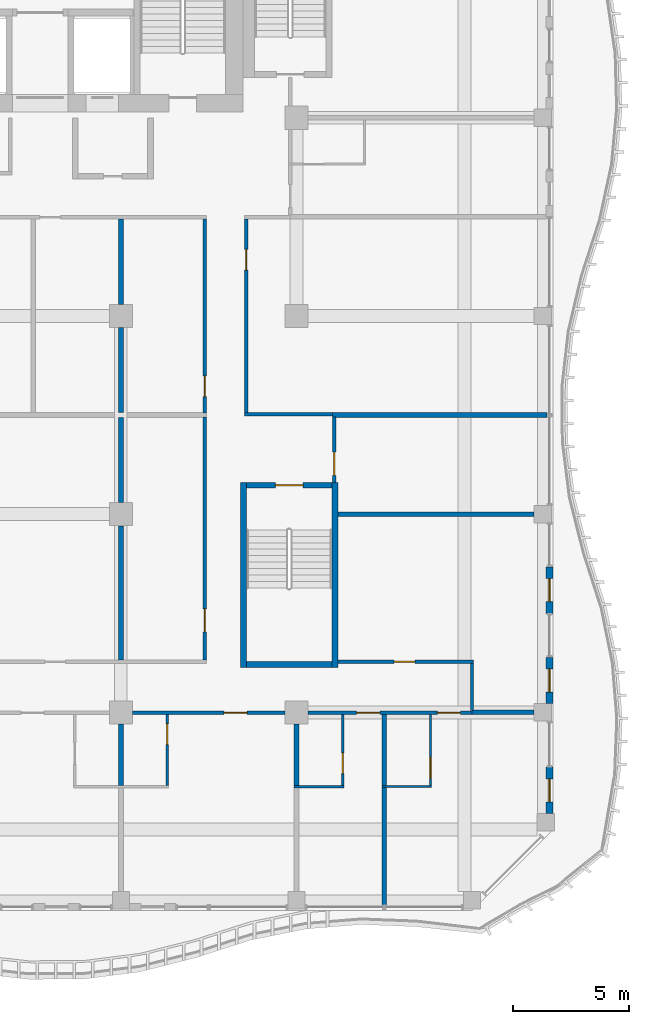
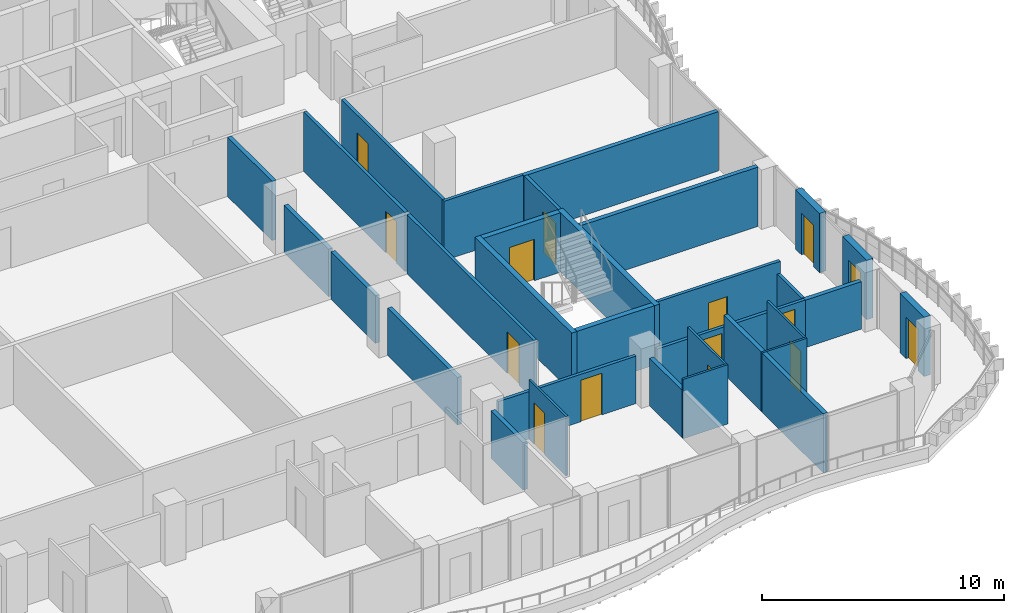
# One storey, part 12 of 22: 32 walls, 15 doors, 15 openings.
"""IFC4 building model written with IfcOpenShell, lengths in metres."""

from ifc_helpers import new_model, si_unit, direction, frame, frame_2d, origin, place, context, subcontext, project, spatial, rectangle, extrude, source, transform, mapped, material, layer, layer_set, type_object, element, fill, save


model = new_model("IFC4")

# Units and contexts
model_context = context("Model", 3, precision=1e-05, world=origin(), true_north=direction((0.0, 1.0)))
body_context = subcontext(model_context, "Body", "Model", "MODEL_VIEW")
ifc_project = project(units=[si_unit("LENGTHUNIT", "METRE"), si_unit("AREAUNIT", "SQUARE_METRE"), si_unit("VOLUMEUNIT", "CUBIC_METRE"), si_unit("PLANEANGLEUNIT", "RADIAN"), si_unit("MASSUNIT", "GRAM", prefix="KILO")], contexts=[model_context])

# Site, building, storey
site_placement = place(None, origin())
site = spatial("IfcSite", under=ifc_project, at=site_placement, CompositionType="ELEMENT")
building_placement = place(site_placement, origin())
building = spatial("IfcBuilding", under=site, at=building_placement, Name="Kilnfold Tower and Market Hall", CompositionType="ELEMENT")
storey_placement = place(building_placement, frame((0.0, 0.0, 220.300048828125)))
storey = spatial("IfcBuildingStorey", under=building, at=storey_placement, Name="L54", CompositionType="ELEMENT", Elevation=220.300048828125)

# Wall, opening, door
ifc_material_1 = material(Name="Gypsum board on steel studs", Category="steel")
ifc_layer_1 = layer(ifc_material_1, 0.14990234375)
ifc_layer_set_1 = layer_set([ifc_layer_1], Name="Gypsum board on steel studs")
wall_type_1 = type_object("IfcWallType", Name="WALL CORRIDOR 150", PredefinedType="PARTITIONING", material=ifc_layer_set_1)
wall_1_placement = place(storey_placement, frame((13.0830078125, -17.699951171875, 0.0), z_axis=(0.0, 0.0, 1.0), x_axis=(1.0, 0.0, 0.0)))
wall_1 = element("IfcWall", 1, at=wall_1_placement, inside=storey, type_object=wall_type_1, Name="Partition LY32.5", PredefinedType="PARTITIONING", context=body_context, shape_type="SweptSolid", body=[
    extrude(rectangle(XDim=6.583984375, YDim=0.14990234375, at=frame_2d((3.2919921875, 0.0))), origin(), (0.0, 0.0, 1.0), 2.39990234375),
])
opening_1_placement = place(wall_1_placement, frame((3.947021484375, 0.0, 0.0)))
opening_1 = element("IfcOpeningElement", 2, at=opening_1_placement, cuts=wall_1, Name="Opening D1", PredefinedType="OPENING", context=body_context, shape_type="SweptSolid", body=[
    extrude(rectangle(XDim=1.0, YDim=2.10009765625, at=frame_2d((0.5, 1.050048828125))), frame((0.0, 0.0849609375, 0.0), z_axis=(0.0, -1.0, 0.0), x_axis=(1.0, 0.0, 0.0)), (0.0, 0.0, 1.0), 0.169921875),
])
ifc_material_2 = material(Name="Timber veneer door leaf in steel frame", Category="steel")
door_type_1 = type_object("IfcDoorType", Name="DOOR ENTRY 1000 X2100", OperationType="NOTDEFINED", PredefinedType="DOOR", material=ifc_material_2)
door_1_placement = place(opening_1_placement, origin())
door_1 = element("IfcDoor", 3, at=door_1_placement, inside=storey, type_object=door_type_1, Name="Door D1", OperationType="SINGLE_SWING_LEFT", OverallHeight=2.10009765625, OverallWidth=1.0, PredefinedType="DOOR", context=body_context, shape_type="SweptSolid", body=[
    extrude(rectangle(XDim=1.0, YDim=2.10009765625, at=frame_2d((0.5, 1.050048828125))), frame((0.0, 0.02490234375, 0.0), z_axis=(0.0, -1.0, 0.0), x_axis=(1.0, 0.0, 0.0)), (0.0, 0.0, 1.0), 0.050048828125),
])
fill(opening_1, door_1)

# Wall, openings, doors
wall_2_placement = place(storey_placement, frame((20.6669921875, -17.699951171875, 0.0), z_axis=(0.0, 0.0, 1.0), x_axis=(1.0, 0.0, 0.0)))
wall_2 = element("IfcWall", 4, at=wall_2_placement, inside=storey, type_object=wall_type_1, Name="Partition LY32.6", PredefinedType="PARTITIONING", context=body_context, shape_type="SweptSolid", body=[
    extrude(rectangle(XDim=7.0830078125, YDim=0.14990234375, at=frame_2d((3.54150390625, 0.0))), origin(), (0.0, 0.0, 1.0), 2.39990234375),
])
opening_2_placement = place(wall_2_placement, frame((2.10205078125, 0.0, 0.0)))
opening_2 = element("IfcOpeningElement", 5, at=opening_2_placement, cuts=wall_2, Name="Opening D1", PredefinedType="OPENING", context=body_context, shape_type="SweptSolid", body=[
    extrude(rectangle(XDim=1.0, YDim=2.10009765625, at=frame_2d((0.5, 1.050048828125))), frame((0.0, 0.0849609375, 0.0), z_axis=(0.0, -1.0, 0.0), x_axis=(1.0, 0.0, 0.0)), (0.0, 0.0, 1.0), 0.169921875),
])
opening_3_placement = place(wall_2_placement, frame((5.58203125, 0.0, 0.0)))
opening_3 = element("IfcOpeningElement", 6, at=opening_3_placement, cuts=wall_2, Name="Opening D1", PredefinedType="OPENING", context=body_context, shape_type="SweptSolid", body=[
    extrude(rectangle(XDim=1.0, YDim=2.10009765625, at=frame_2d((0.5, 1.050048828125))), frame((0.0, 0.0849609375, 0.0), z_axis=(0.0, -1.0, 0.0), x_axis=(1.0, 0.0, 0.0)), (0.0, 0.0, 1.0), 0.169921875),
])
door_2_placement = place(opening_2_placement, origin())
door_2 = element("IfcDoor", 7, at=door_2_placement, inside=storey, type_object=door_type_1, Name="Door D1", OperationType="SINGLE_SWING_LEFT", OverallHeight=2.10009765625, OverallWidth=1.0, PredefinedType="DOOR", context=body_context, shape_type="SweptSolid", body=[
    extrude(rectangle(XDim=1.0, YDim=2.10009765625, at=frame_2d((0.5, 1.050048828125))), frame((0.0, 0.02490234375, 0.0), z_axis=(0.0, -1.0, 0.0), x_axis=(1.0, 0.0, 0.0)), (0.0, 0.0, 1.0), 0.050048828125),
])
fill(opening_2, door_2)
door_3_placement = place(opening_3_placement, origin())
door_3 = element("IfcDoor", 8, at=door_3_placement, inside=storey, type_object=door_type_1, Name="Door D1", OperationType="SINGLE_SWING_RIGHT", OverallHeight=2.10009765625, OverallWidth=1.0, PredefinedType="DOOR", context=body_context, shape_type="SweptSolid", body=[
    extrude(rectangle(XDim=1.0, YDim=2.10009765625, at=frame_2d((0.5, 1.050048828125))), frame((0.0, 0.02490234375, 0.0), z_axis=(0.0, -1.0, 0.0), x_axis=(1.0, 0.0, 0.0)), (0.0, 0.0, 1.0), 0.050048828125),
])
fill(opening_3, door_3)

# Wall, opening, door
wall_3_placement = place(storey_placement, frame((18.0, -4.72509765625, 0.0), z_axis=(0.0, 0.0, 1.0), x_axis=(0.0, 1.0, 0.0)))
wall_3 = element("IfcWall", 9, at=wall_3_placement, inside=storey, type_object=wall_type_1, Name="Partition LY32.26", PredefinedType="PARTITIONING", context=body_context, shape_type="SweptSolid", body=[
    extrude(rectangle(XDim=8.35009765625, YDim=0.14990234375, at=frame_2d((4.175048828125, 0.0))), origin(), (0.0, 0.0, 1.0), 3.0),
])
opening_4_placement = place(wall_3_placement, frame((6.14208984375, 0.0, 0.0)))
opening_4 = element("IfcOpeningElement", 10, at=opening_4_placement, cuts=wall_3, Name="Opening D2", PredefinedType="OPENING", context=body_context, shape_type="SweptSolid", body=[
    extrude(rectangle(XDim=0.89990234375, YDim=2.10009765625, at=frame_2d((0.449951171875, 1.050048828125))), frame((0.0, 0.0849609375, 0.0), z_axis=(0.0, -1.0, 0.0), x_axis=(1.0, 0.0, 0.0)), (0.0, 0.0, 1.0), 0.169921875),
])
ifc_material_3 = material(Name="Timber veneer door leaf in steel frame", Category="steel")
door_type_2 = type_object("IfcDoorType", Name="DOOR ROOM 900 X2100", OperationType="NOTDEFINED", PredefinedType="DOOR", material=ifc_material_3)
door_4_placement = place(opening_4_placement, origin())
door_4 = element("IfcDoor", 11, at=door_4_placement, inside=storey, type_object=door_type_2, Name="Door D2", OperationType="SINGLE_SWING_RIGHT", OverallHeight=2.10009765625, OverallWidth=0.89990234375, PredefinedType="DOOR", context=body_context, shape_type="SweptSolid", body=[
    extrude(rectangle(XDim=0.89990234375, YDim=2.10009765625, at=frame_2d((0.449951171875, 1.050048828125))), frame((0.0, 0.02490234375, 0.0), z_axis=(0.0, -1.0, 0.0), x_axis=(1.0, 0.0, 0.0)), (0.0, 0.0, 1.0), 0.050048828125),
])
fill(opening_4, door_4)

# Wall
wall_4_placement = place(storey_placement, frame((17.925048828125, -4.800048828125, 0.0), z_axis=(0.0, 0.0, 1.0), x_axis=(1.0, 0.0, 0.0)))
element("IfcWall", 12, at=wall_4_placement, inside=storey, type_object=wall_type_1, Name="Partition LY32.27", PredefinedType="PARTITIONING", context=body_context, shape_type="SweptSolid", body=[
    extrude(rectangle(XDim=3.802001953125, YDim=0.14990234375, at=frame_2d((1.90087890625, 0.0))), origin(), (0.0, 0.0, 1.0), 3.0),
])

# Wall, opening, door
wall_5_placement = place(storey_placement, frame((21.800048828125, -7.75, 0.0), z_axis=(0.0, 0.0, 1.0), x_axis=(0.0, 1.0, 0.0)))
wall_5 = element("IfcWall", 13, at=wall_5_placement, inside=storey, type_object=wall_type_1, Name="Partition LY32.28", PredefinedType="PARTITIONING", context=body_context, shape_type="SweptSolid", body=[
    extrude(rectangle(XDim=2.81689453125, YDim=0.14990234375, at=frame_2d((1.408447265625, 0.0))), origin(), (0.0, 0.0, 1.0), 3.0),
])
opening_5_placement = place(wall_5_placement, frame((0.301025390625, 0.0, 0.0)))
opening_5 = element("IfcOpeningElement", 14, at=opening_5_placement, cuts=wall_5, Name="Opening D4", PredefinedType="OPENING", context=body_context, shape_type="SweptSolid", body=[
    extrude(rectangle(XDim=1.0, YDim=2.10009765625, at=frame_2d((0.5, 1.050048828125))), frame((0.0, 0.0849609375, 0.0), z_axis=(0.0, -1.0, 0.0), x_axis=(1.0, 0.0, 0.0)), (0.0, 0.0, 1.0), 0.169921875),
])
ifc_material_4 = material(Name="Timber veneer door leaf in steel frame", Category="steel")
door_type_3 = type_object("IfcDoorType", Name="DOOR SERVICE 1000 X2100", OperationType="NOTDEFINED", PredefinedType="DOOR", material=ifc_material_4)
door_5_placement = place(opening_5_placement, origin())
door_5 = element("IfcDoor", 15, at=door_5_placement, inside=storey, type_object=door_type_3, Name="Door D4", OperationType="SINGLE_SWING_RIGHT", OverallHeight=2.10009765625, OverallWidth=1.0, PredefinedType="DOOR", context=body_context, shape_type="SweptSolid", body=[
    extrude(rectangle(XDim=1.0, YDim=2.10009765625, at=frame_2d((0.5, 1.050048828125))), frame((0.0, 0.02490234375, 0.0), z_axis=(0.0, -1.0, 0.0), x_axis=(1.0, 0.0, 0.0)), (0.0, 0.0, 1.0), 0.050048828125),
])
fill(opening_5, door_5)

wall_6_placement = place(storey_placement, frame((21.949951171875, -15.5, 0.0), z_axis=(0.0, 0.0, 1.0), x_axis=(1.0, 0.0, 0.0)))
wall_6 = element("IfcWall", 16, at=wall_6_placement, inside=storey, type_object=wall_type_1, Name="Partition LY32.29", PredefinedType="PARTITIONING", context=body_context, shape_type="SweptSolid", body=[
    extrude(rectangle(XDim=5.875, YDim=0.14990234375, at=frame_2d((2.9375, 0.0))), origin(), (0.0, 0.0, 1.0), 3.0),
])
opening_6_placement = place(wall_6_placement, frame((2.43701171875, 0.0, 0.0)))
opening_6 = element("IfcOpeningElement", 17, at=opening_6_placement, cuts=wall_6, Name="Opening D2", PredefinedType="OPENING", context=body_context, shape_type="SweptSolid", body=[
    extrude(rectangle(XDim=0.89990234375, YDim=2.10009765625, at=frame_2d((0.449951171875, 1.050048828125))), frame((0.0, 0.0849609375, 0.0), z_axis=(0.0, -1.0, 0.0), x_axis=(1.0, 0.0, 0.0)), (0.0, 0.0, 1.0), 0.169921875),
])
door_6_placement = place(opening_6_placement, origin())
door_6 = element("IfcDoor", 18, at=door_6_placement, inside=storey, type_object=door_type_2, Name="Door D2", OperationType="SINGLE_SWING_RIGHT", OverallHeight=2.10009765625, OverallWidth=0.89990234375, PredefinedType="DOOR", context=body_context, shape_type="SweptSolid", body=[
    extrude(rectangle(XDim=0.89990234375, YDim=2.10009765625, at=frame_2d((0.449951171875, 1.050048828125))), frame((0.0, 0.02490234375, 0.0), z_axis=(0.0, -1.0, 0.0), x_axis=(1.0, 0.0, 0.0)), (0.0, 0.0, 1.0), 0.050048828125),
])
fill(opening_6, door_6)

# Wall
wall_7_placement = place(storey_placement, frame((27.75, -17.597900390625, 0.0), z_axis=(0.0, 0.0, 1.0), x_axis=(0.0, 1.0, 0.0)))
element("IfcWall", 19, at=wall_7_placement, inside=storey, type_object=wall_type_1, Name="Partition LY32.30", PredefinedType="PARTITIONING", context=body_context, shape_type="SweptSolid", body=[
    extrude(rectangle(XDim=2.02294921875, YDim=0.14990234375, at=frame_2d((1.011474609375, 0.0))), origin(), (0.0, 0.0, 1.0), 2.39990234375),
])

# Wall, opening, door
wall_8_placement = place(storey_placement, frame((16.199951171875, -4.7529296875, 0.0), z_axis=(0.0, 0.0, 1.0), x_axis=(0.0, 1.0, 0.0)))
wall_8 = element("IfcWall", 20, at=wall_8_placement, inside=storey, type_object=wall_type_1, Name="Partition LY32.37", PredefinedType="PARTITIONING", context=body_context, shape_type="SweptSolid", body=[
    extrude(rectangle(XDim=8.3779296875, YDim=0.14990234375, at=frame_2d((4.18896484375, 0.0))), origin(), (0.0, 0.0, 1.0), 3.0),
])
opening_7_placement = place(wall_8_placement, frame((0.7060546875, 0.0, 0.0)))
opening_7 = element("IfcOpeningElement", 21, at=opening_7_placement, cuts=wall_8, Name="Opening D2", PredefinedType="OPENING", context=body_context, shape_type="SweptSolid", body=[
    extrude(rectangle(XDim=0.89990234375, YDim=2.10009765625, at=frame_2d((0.449951171875, 1.050048828125))), frame((0.0, 0.0849609375, 0.0), z_axis=(0.0, -1.0, 0.0), x_axis=(1.0, 0.0, 0.0)), (0.0, 0.0, 1.0), 0.169921875),
])
door_7_placement = place(opening_7_placement, origin())
door_7 = element("IfcDoor", 22, at=door_7_placement, inside=storey, type_object=door_type_2, Name="Door D2", OperationType="SINGLE_SWING_RIGHT", OverallHeight=2.10009765625, OverallWidth=0.89990234375, PredefinedType="DOOR", context=body_context, shape_type="SweptSolid", body=[
    extrude(rectangle(XDim=0.89990234375, YDim=2.10009765625, at=frame_2d((0.449951171875, 1.050048828125))), frame((0.0, 0.02490234375, 0.0), z_axis=(0.0, -1.0, 0.0), x_axis=(1.0, 0.0, 0.0)), (0.0, 0.0, 1.0), 0.050048828125),
])
fill(opening_7, door_7)

wall_9_placement = place(storey_placement, frame((16.199951171875, -15.425048828125, 0.0), z_axis=(0.0, 0.0, 1.0), x_axis=(0.0, 1.0, 0.0)))
wall_9 = element("IfcWall", 23, at=wall_9_placement, inside=storey, type_object=wall_type_1, Name="Partition LY32.41", PredefinedType="PARTITIONING", context=body_context, shape_type="SweptSolid", body=[
    extrude(rectangle(XDim=10.491943359375, YDim=0.14990234375, at=frame_2d((5.24609375, 0.0))), origin(), (0.0, 0.0, 1.0), 3.0),
])
opening_8_placement = place(wall_9_placement, frame((1.2099609375, 0.0, 0.0)))
opening_8 = element("IfcOpeningElement", 24, at=opening_8_placement, cuts=wall_9, Name="Opening D4", PredefinedType="OPENING", context=body_context, shape_type="SweptSolid", body=[
    extrude(rectangle(XDim=1.0, YDim=2.10009765625, at=frame_2d((0.5, 1.050048828125))), frame((0.0, 0.0849609375, 0.0), z_axis=(0.0, -1.0, 0.0), x_axis=(1.0, 0.0, 0.0)), (0.0, 0.0, 1.0), 0.169921875),
])
door_8_placement = place(opening_8_placement, origin())
door_8 = element("IfcDoor", 25, at=door_8_placement, inside=storey, type_object=door_type_3, Name="Door D4", OperationType="SINGLE_SWING_LEFT", OverallHeight=2.10009765625, OverallWidth=1.0, PredefinedType="DOOR", context=body_context, shape_type="SweptSolid", body=[
    extrude(rectangle(XDim=1.0, YDim=2.10009765625, at=frame_2d((0.5, 1.050048828125))), frame((0.0, 0.02490234375, 0.0), z_axis=(0.0, -1.0, 0.0), x_axis=(1.0, 0.0, 0.0)), (0.0, 0.0, 1.0), 0.050048828125),
])
fill(opening_8, door_8)

ifc_material_5 = material(Name="Gypsum board on steel studs", Category="steel")
ifc_layer_2 = layer(ifc_material_5, 0.10009765625)
ifc_layer_set_2 = layer_set([ifc_layer_2], Name="Gypsum board on steel studs")
wall_type_2 = type_object("IfcWallType", Name="WALL PARTITION 100", PredefinedType="PARTITIONING", material=ifc_layer_set_2)
wall_10_placement = place(storey_placement, frame((14.5830078125, -17.777099609375, 0.0), z_axis=(0.0, 0.0, 1.0), x_axis=(0.0, -1.0, 0.0)))
wall_10 = element("IfcWall", 26, at=wall_10_placement, inside=storey, type_object=wall_type_2, Name="Partition LY32.59", PredefinedType="PARTITIONING", context=body_context, shape_type="SweptSolid", body=[
    extrude(rectangle(XDim=3.074951171875, YDim=0.10009765625, at=frame_2d((1.53759765625, 0.0))), origin(), (0.0, 0.0, 1.0), 3.0),
])
opening_9_placement = place(wall_10_placement, frame((0.408935546875, 0.0, 0.0)))
opening_9 = element("IfcOpeningElement", 27, at=opening_9_placement, cuts=wall_10, Name="Opening D3", PredefinedType="OPENING", context=body_context, shape_type="SweptSolid", body=[
    extrude(rectangle(XDim=0.89990234375, YDim=2.10009765625, at=frame_2d((0.449951171875, 1.050048828125))), frame((0.0, 0.06005859375, 0.0), z_axis=(0.0, -1.0, 0.0), x_axis=(1.0, 0.0, 0.0)), (0.0, 0.0, 1.0), 0.1201171875),
])
ifc_material_6 = material(Name="Timber veneer door leaf in steel frame", Category="steel")
door_type_4 = type_object("IfcDoorType", Name="DOOR WC 900 X2100", OperationType="NOTDEFINED", PredefinedType="DOOR", material=ifc_material_6)
door_9_placement = place(opening_9_placement, origin())
door_9 = element("IfcDoor", 28, at=door_9_placement, inside=storey, type_object=door_type_4, Name="Door D3", OperationType="SINGLE_SWING_LEFT", OverallHeight=2.10009765625, OverallWidth=0.89990234375, PredefinedType="DOOR", context=body_context, shape_type="SweptSolid", body=[
    extrude(rectangle(XDim=0.89990234375, YDim=2.10009765625, at=frame_2d((0.449951171875, 1.050048828125))), frame((0.0, 0.02490234375, 0.0), z_axis=(0.0, -1.0, 0.0), x_axis=(1.0, 0.0, 0.0)), (0.0, 0.0, 1.0), 0.050048828125),
])
fill(opening_9, door_9)

wall_11_placement = place(storey_placement, frame((22.1669921875, -17.777099609375, 0.0), z_axis=(0.0, 0.0, 1.0), x_axis=(0.0, -1.0, 0.0)))
wall_11 = element("IfcWall", 29, at=wall_11_placement, inside=storey, type_object=wall_type_2, Name="Partition LY32.62", PredefinedType="PARTITIONING", context=body_context, shape_type="SweptSolid", body=[
    extrude(rectangle(XDim=3.074951171875, YDim=0.10009765625, at=frame_2d((1.53759765625, 0.0))), origin(), (0.0, 0.0, 1.0), 3.0),
])
opening_10_placement = place(wall_11_placement, frame((1.662109375, 0.0, 0.0)))
opening_10 = element("IfcOpeningElement", 30, at=opening_10_placement, cuts=wall_11, Name="Opening D3", PredefinedType="OPENING", context=body_context, shape_type="SweptSolid", body=[
    extrude(rectangle(XDim=0.89990234375, YDim=2.10009765625, at=frame_2d((0.449951171875, 1.050048828125))), frame((0.0, 0.06005859375, 0.0), z_axis=(0.0, -1.0, 0.0), x_axis=(1.0, 0.0, 0.0)), (0.0, 0.0, 1.0), 0.1201171875),
])
door_10_placement = place(opening_10_placement, origin())
door_10 = element("IfcDoor", 31, at=door_10_placement, inside=storey, type_object=door_type_4, Name="Door D3", OperationType="SINGLE_SWING_LEFT", OverallHeight=2.10009765625, OverallWidth=0.89990234375, PredefinedType="DOOR", context=body_context, shape_type="SweptSolid", body=[
    extrude(rectangle(XDim=0.89990234375, YDim=2.10009765625, at=frame_2d((0.449951171875, 1.050048828125))), frame((0.0, 0.02490234375, 0.0), z_axis=(0.0, -1.0, 0.0), x_axis=(1.0, 0.0, 0.0)), (0.0, 0.0, 1.0), 0.050048828125),
])
fill(opening_10, door_10)

# Walls
for number, where, z_axis, x_axis, name in (
    (32, (20.06689453125, -20.902099609375, 0.0), (0.0, 0.0, 1.0), (1.0, 0.0, 0.0), "Partition LY32.63"),
    (33, (23.85888671875, -20.887939453125, 0.0), (0.0, 0.0, 1.0), (1.0, 0.0, 0.0), "Partition LY32.66"),
):
    element("IfcWall", number, at=place(storey_placement, frame(where, z_axis=z_axis, x_axis=x_axis)), inside=storey, type_object=wall_type_2, Name=name, PredefinedType="PARTITIONING", context=body_context, shape_type="SweptSolid", body=[
        extrude(rectangle(XDim=2.150146484375, YDim=0.10009765625, at=frame_2d((1.0751953125, 0.0))), origin(), (0.0, 0.0, 1.0), 3.0),
    ])

# Wall, opening, door
wall_12_placement = place(storey_placement, frame((25.958984375, -17.777099609375, 0.0), z_axis=(0.0, 0.0, 1.0), x_axis=(0.0, -1.0, 0.0)))
wall_12 = element("IfcWall", 34, at=wall_12_placement, inside=storey, type_object=wall_type_2, Name="Partition LY32.67", PredefinedType="PARTITIONING", context=body_context, shape_type="SweptSolid", body=[
    extrude(rectangle(XDim=3.060791015625, YDim=0.10009765625, at=frame_2d((1.5302734375, 0.0))), origin(), (0.0, 0.0, 1.0), 3.0),
])
opening_11_placement = place(wall_12_placement, frame((1.85693359375, 0.0, 0.0)))
opening_11 = element("IfcOpeningElement", 35, at=opening_11_placement, cuts=wall_12, Name="Opening D3", PredefinedType="OPENING", context=body_context, shape_type="SweptSolid", body=[
    extrude(rectangle(XDim=0.89990234375, YDim=2.10009765625, at=frame_2d((0.449951171875, 1.050048828125))), frame((0.0, 0.06005859375, 0.0), z_axis=(0.0, -1.0, 0.0), x_axis=(1.0, 0.0, 0.0)), (0.0, 0.0, 1.0), 0.1201171875),
])
door_11_placement = place(opening_11_placement, origin())
door_11 = element("IfcDoor", 36, at=door_11_placement, inside=storey, type_object=door_type_4, Name="Door D3", OperationType="SINGLE_SWING_LEFT", OverallHeight=2.10009765625, OverallWidth=0.89990234375, PredefinedType="DOOR", context=body_context, shape_type="SweptSolid", body=[
    extrude(rectangle(XDim=0.89990234375, YDim=2.10009765625, at=frame_2d((0.449951171875, 1.050048828125))), frame((0.0, 0.02490234375, 0.0), z_axis=(0.0, -1.0, 0.0), x_axis=(1.0, 0.0, 0.0)), (0.0, 0.0, 1.0), 0.050048828125),
])
fill(opening_11, door_11)

# Walls
ifc_material_7 = material(Name="Gypsum board on steel studs", Category="steel")
ifc_layer_3 = layer(ifc_material_7, 0.199951171875)
ifc_layer_set_3 = layer_set([ifc_layer_3], Name="Gypsum board on steel studs")
wall_type_3 = type_object("IfcWallType", Name="WALL PARTY 200", PredefinedType="PARTITIONING", material=ifc_layer_set_3)
wall_13_placement = place(storey_placement, frame((12.5830078125, -20.85205078125, 0.0), z_axis=(0.0, 0.0, 1.0), x_axis=(0.0, 1.0, 0.0)))
element("IfcWall", 37, at=wall_13_placement, inside=storey, type_object=wall_type_3, Name="Partition LY32.58", PredefinedType="PARTITIONING", context=body_context, shape_type="SweptSolid", body=[
    extrude(rectangle(XDim=2.6640625, YDim=0.199951171875, at=frame_2d((1.33203125, 0.0))), origin(), (0.0, 0.0, 1.0), 2.39990234375),
])
wall_14_placement = place(storey_placement, frame((20.1669921875, -20.862060546875, 0.0), z_axis=(0.0, 0.0, 1.0), x_axis=(0.0, 1.0, 0.0)))
element("IfcWall", 38, at=wall_14_placement, inside=storey, type_object=wall_type_3, Name="Partition LY32.61", PredefinedType="PARTITIONING", context=body_context, shape_type="SweptSolid", body=[
    extrude(rectangle(XDim=2.674072265625, YDim=0.199951171875, at=frame_2d((1.3369140625, 0.0))), origin(), (0.0, 0.0, 1.0), 2.39990234375),
])
wall_15_placement = place(storey_placement, frame((23.958984375, -26.0, 0.0), z_axis=(0.0, 0.0, 1.0), x_axis=(0.0, 1.0, 0.0)))
element("IfcWall", 39, at=wall_15_placement, inside=storey, type_object=wall_type_3, Name="Partition LY32.64", PredefinedType="PARTITIONING", context=body_context, shape_type="SweptSolid", body=[
    extrude(rectangle(XDim=5.072021484375, YDim=0.199951171875, at=frame_2d((2.5361328125, 0.0))), origin(), (0.0, 0.0, 1.0), 3.0),
])
wall_16_placement = place(storey_placement, frame((23.958984375, -20.847900390625, 0.0), z_axis=(0.0, 0.0, 1.0), x_axis=(0.0, 1.0, 0.0)))
element("IfcWall", 40, at=wall_16_placement, inside=storey, type_object=wall_type_3, Name="Partition LY32.65", PredefinedType="PARTITIONING", context=body_context, shape_type="SweptSolid", body=[
    extrude(rectangle(XDim=3.07080078125, YDim=0.199951171875, at=frame_2d((1.535400390625, 0.0))), origin(), (0.0, 0.0, 1.0), 3.0),
])
wall_17_placement = place(storey_placement, frame((27.751953125, -17.68798828125, 0.0), z_axis=(0.0, 0.0, 1.0), x_axis=(1.0, 0.0, 0.0)))
element("IfcWall", 41, at=wall_17_placement, inside=storey, type_object=wall_type_3, Name="Partition LY32.68", PredefinedType="PARTITIONING", context=body_context, shape_type="SweptSolid", body=[
    extrude(rectangle(XDim=2.673095703125, YDim=0.199951171875, at=frame_2d((1.33642578125, 0.0))), origin(), (0.0, 0.0, 1.0), 2.39990234375),
])
wall_18_placement = place(storey_placement, frame((21.72705078125, -4.843017578125, 0.0), z_axis=(0.0, 0.0, 1.0), x_axis=(1.0, 0.0, 0.0)))
element("IfcWall", 42, at=wall_18_placement, inside=storey, type_object=wall_type_3, Name="Partition LY32.85", PredefinedType="PARTITIONING", context=body_context, shape_type="SweptSolid", body=[
    extrude(rectangle(XDim=9.27294921875, YDim=0.199951171875, at=frame_2d((4.636474609375, 0.0))), origin(), (0.0, 0.0, 1.0), 3.0),
])
wall_19_placement = place(storey_placement, frame((21.949951171875, -9.125, 0.0), z_axis=(0.0, 0.0, 1.0), x_axis=(1.0, 0.0, 0.0)))
element("IfcWall", 43, at=wall_19_placement, inside=storey, type_object=wall_type_3, Name="Partition LY32.86", PredefinedType="PARTITIONING", context=body_context, shape_type="SweptSolid", body=[
    extrude(rectangle(XDim=8.47509765625, YDim=0.199951171875, at=frame_2d((4.237548828125, 0.0))), origin(), (0.0, 0.0, 1.0), 3.0),
])
wall_20_placement = place(storey_placement, frame((12.5830078125, -0.06201171875, 0.0), z_axis=(0.0, 0.0, 1.0), x_axis=(0.0, 1.0, 0.0)))
element("IfcWall", 44, at=wall_20_placement, inside=storey, type_object=wall_type_3, Name="Partition LY32.90", PredefinedType="PARTITIONING", context=body_context, shape_type="SweptSolid", body=[
    extrude(rectangle(XDim=3.68505859375, YDim=0.199951171875, at=frame_2d((1.842529296875, 0.0))), origin(), (0.0, 0.0, 1.0), 3.0),
])
wall_21_placement = place(storey_placement, frame((12.5830078125, -4.742919921875, 0.0), z_axis=(0.0, 0.0, 1.0), x_axis=(0.0, 1.0, 0.0)))
element("IfcWall", 45, at=wall_21_placement, inside=storey, type_object=wall_type_3, Name="Partition LY32.91", PredefinedType="PARTITIONING", context=body_context, shape_type="SweptSolid", body=[
    extrude(rectangle(XDim=3.680908203125, YDim=0.199951171875, at=frame_2d((1.84033203125, 0.0))), origin(), (0.0, 0.0, 1.0), 2.39990234375),
])
wall_22_placement = place(storey_placement, frame((12.5830078125, -8.625, 0.0), z_axis=(0.0, 0.0, 1.0), x_axis=(0.0, 1.0, 0.0)))
element("IfcWall", 46, at=wall_22_placement, inside=storey, type_object=wall_type_3, Name="Partition LY32.94", PredefinedType="PARTITIONING", context=body_context, shape_type="SweptSolid", body=[
    extrude(rectangle(XDim=3.681884765625, YDim=0.199951171875, at=frame_2d((1.8408203125, 0.0))), origin(), (0.0, 0.0, 1.0), 2.39990234375),
])
wall_23_placement = place(storey_placement, frame((12.5830078125, -15.423095703125, 0.0), z_axis=(0.0, 0.0, 1.0), x_axis=(0.0, 1.0, 0.0)))
element("IfcWall", 47, at=wall_23_placement, inside=storey, type_object=wall_type_3, Name="Partition LY32.95", PredefinedType="PARTITIONING", context=body_context, shape_type="SweptSolid", body=[
    extrude(rectangle(XDim=5.798095703125, YDim=0.199951171875, at=frame_2d((2.89892578125, 0.0))), origin(), (0.0, 0.0, 1.0), 2.39990234375),
])
ifc_material_8 = material(Name="Concrete C60", Category="concrete")
ifc_layer_4 = layer(ifc_material_8, 0.25)
ifc_layer_set_4 = layer_set([ifc_layer_4], Name="Concrete C60")
wall_type_4 = type_object("IfcWallType", Name="CORE WALL 250 C60", PredefinedType="SHEAR", material=ifc_layer_set_4)
shared_shape_1 = source(origin(), body_context, "Body", "SweptSolid", [
    extrude(rectangle(XDim=3.699951171875, YDim=0.25, at=frame_2d((1.85009765625, 0.0))), origin(), (0.0, 0.0, 1.0), 3.0),
])
wall_24_placement = place(storey_placement, frame((18.0, -15.625, 0.0), z_axis=(0.0, 0.0, 1.0), x_axis=(1.0, 0.0, 0.0)))
element("IfcWall", 48, at=wall_24_placement, inside=storey, type_object=wall_type_4, Name="Stair enclosure ST4", PredefinedType="SHEAR", context=body_context, shape_type="MappedRepresentation", body=[
    mapped(shared_shape_1, transform((0.0, 0.0, 0.0))),
])

# Wall, opening, door
wall_25_placement = place(storey_placement, frame((18.0, -7.875, 0.0), z_axis=(0.0, 0.0, 1.0), x_axis=(1.0, 0.0, 0.0)))
wall_25 = element("IfcWall", 49, at=wall_25_placement, inside=storey, type_object=wall_type_4, Name="Stair enclosure ST4", PredefinedType="SHEAR", context=body_context, shape_type="MappedRepresentation", body=[
    mapped(shared_shape_1, transform((0.0, 0.0, 0.0))),
])
opening_12_placement = place(wall_25_placement, frame((1.25, 0.0, 0.0)))
opening_12 = element("IfcOpeningElement", 50, at=opening_12_placement, cuts=wall_25, Name="Opening SD1", PredefinedType="OPENING", context=body_context, shape_type="SweptSolid", body=[
    extrude(rectangle(XDim=1.199951171875, YDim=2.10009765625, at=frame_2d((0.60009765625, 1.050048828125))), frame((0.0, 0.135009765625, 0.0), z_axis=(0.0, -1.0, 0.0), x_axis=(1.0, 0.0, 0.0)), (0.0, 0.0, 1.0), 0.27001953125),
])
ifc_material_9 = material(Name="Steel door set with fire-resisting leaf", Category="steel")
door_type_5 = type_object("IfcDoorType", Name="STAIR FLOOR DOOR 1200X2100", OperationType="NOTDEFINED", PredefinedType="DOOR", material=ifc_material_9)
door_12_placement = place(opening_12_placement, origin())
door_12 = element("IfcDoor", 51, at=door_12_placement, inside=storey, type_object=door_type_5, Name="Exit stair ST4 door", OperationType="DOUBLE_DOOR_SINGLE_SWING", OverallHeight=2.10009765625, OverallWidth=1.199951171875, PredefinedType="DOOR", context=body_context, shape_type="SweptSolid", body=[
    extrude(rectangle(XDim=1.199951171875, YDim=2.10009765625, at=frame_2d((0.60009765625, 1.050048828125))), frame((0.0, 0.02490234375, 0.0), z_axis=(0.0, -1.0, 0.0), x_axis=(1.0, 0.0, 0.0)), (0.0, 0.0, 1.0), 0.050048828125),
])
fill(opening_12, door_12)

# Walls
shared_shape_2 = source(origin(), body_context, "Body", "SweptSolid", [
    extrude(rectangle(XDim=8.0, YDim=0.25, at=frame_2d((4.0, 0.0))), origin(), (0.0, 0.0, 1.0), 3.0),
])
for number, where, z_axis, x_axis, name in (
    (52, (17.875, -15.75, 0.0), (0.0, 0.0, 1.0), (0.0, 1.0, 0.0), "Stair enclosure ST4"),
    (53, (21.824951171875, -15.75, 0.0), (0.0, 0.0, 1.0), (0.0, 1.0, 0.0), "Stair enclosure ST4"),
):
    element("IfcWall", number, at=place(storey_placement, frame(where, z_axis=z_axis, x_axis=x_axis)), inside=storey, type_object=wall_type_4, Name=name, PredefinedType="SHEAR", context=body_context, shape_type="MappedRepresentation", body=[
        mapped(shared_shape_2, transform((0.0, 0.0, 0.0))),
    ])

# Wall, opening, door
ifc_material_10 = material(Name="Precast concrete C50/60", Category="concrete")
ifc_layer_5 = layer(ifc_material_10, 0.300048828125)
ifc_layer_set_5 = layer_set([ifc_layer_5], Name="Precast concrete C50/60")
wall_type_5 = type_object("IfcWallType", Name="PRECAST WALL 300", PredefinedType="SOLIDWALL", material=ifc_layer_set_5)
shared_shape_3 = source(origin(), body_context, "Body", "SweptSolid", [
    extrude(rectangle(XDim=2.0, YDim=0.300048828125, at=frame_2d((1.0, 0.0))), origin(), (0.0, 0.0, 1.0), 3.0),
])
wall_26_placement = place(storey_placement, frame((31.10009765625, -22.056884765625, 0.0), z_axis=(0.0, 0.0, 1.0), x_axis=(0.0, 1.0, 0.0)))
wall_26 = element("IfcWall", 54, at=wall_26_placement, inside=storey, type_object=wall_type_5, Name="External wall L54 E", PredefinedType="SOLIDWALL", context=body_context, shape_type="MappedRepresentation", body=[
    mapped(shared_shape_3, transform((0.0, 0.0, 0.0))),
])
opening_13_placement = place(wall_26_placement, frame((0.5, 0.0, 0.0)))
opening_13 = element("IfcOpeningElement", 55, at=opening_13_placement, cuts=wall_26, Name="Opening BD1", PredefinedType="OPENING", context=body_context, shape_type="SweptSolid", body=[
    extrude(rectangle(XDim=1.0, YDim=2.10009765625, at=frame_2d((0.5, 1.050048828125))), frame((0.0, 0.16015625, 0.0), z_axis=(0.0, -1.0, 0.0), x_axis=(1.0, 0.0, 0.0)), (0.0, 0.0, 1.0), 0.320068359375),
])
ifc_material_11 = material(Name="Aluminium frame and double glazing", Category="aluminium")
door_type_6 = type_object("IfcDoorType", Name="BALCONY DOOR 1000X2100", OperationType="NOTDEFINED", PredefinedType="DOOR", material=ifc_material_11)
door_13_placement = place(opening_13_placement, origin())
door_13 = element("IfcDoor", 56, at=door_13_placement, inside=storey, type_object=door_type_6, Name="Balcony door BD1 L54 E-1", OperationType="SINGLE_SWING_LEFT", OverallHeight=2.10009765625, OverallWidth=1.0, PredefinedType="DOOR", context=body_context, shape_type="SweptSolid", body=[
    extrude(rectangle(XDim=1.0, YDim=2.10009765625, at=frame_2d((0.5, 1.050048828125))), frame((0.0, 0.02490234375, 0.0), z_axis=(0.0, -1.0, 0.0), x_axis=(1.0, 0.0, 0.0)), (0.0, 0.0, 1.0), 0.050048828125),
])
fill(opening_13, door_13)

wall_27_placement = place(storey_placement, frame((31.10009765625, -17.3125, 0.0), z_axis=(0.0, 0.0, 1.0), x_axis=(0.0, 1.0, 0.0)))
wall_27 = element("IfcWall", 57, at=wall_27_placement, inside=storey, type_object=wall_type_5, Name="External wall L54 E", PredefinedType="SOLIDWALL", context=body_context, shape_type="MappedRepresentation", body=[
    mapped(shared_shape_3, transform((0.0, 0.0, 0.0))),
])
opening_14_placement = place(wall_27_placement, frame((0.5, 0.0, 0.0)))
opening_14 = element("IfcOpeningElement", 58, at=opening_14_placement, cuts=wall_27, Name="Opening BD1", PredefinedType="OPENING", context=body_context, shape_type="SweptSolid", body=[
    extrude(rectangle(XDim=1.0, YDim=2.10009765625, at=frame_2d((0.5, 1.050048828125))), frame((0.0, 0.16015625, 0.0), z_axis=(0.0, -1.0, 0.0), x_axis=(1.0, 0.0, 0.0)), (0.0, 0.0, 1.0), 0.320068359375),
])
door_14_placement = place(opening_14_placement, origin())
door_14 = element("IfcDoor", 59, at=door_14_placement, inside=storey, type_object=door_type_6, Name="Balcony door BD1 L54 E-1", OperationType="SINGLE_SWING_LEFT", OverallHeight=2.10009765625, OverallWidth=1.0, PredefinedType="DOOR", context=body_context, shape_type="SweptSolid", body=[
    extrude(rectangle(XDim=1.0, YDim=2.10009765625, at=frame_2d((0.5, 1.050048828125))), frame((0.0, 0.02490234375, 0.0), z_axis=(0.0, -1.0, 0.0), x_axis=(1.0, 0.0, 0.0)), (0.0, 0.0, 1.0), 0.050048828125),
])
fill(opening_14, door_14)

wall_28_placement = place(storey_placement, frame((31.10009765625, -13.40625, 0.0), z_axis=(0.0, 0.0, 1.0), x_axis=(0.0, 1.0, 0.0)))
wall_28 = element("IfcWall", 60, at=wall_28_placement, inside=storey, type_object=wall_type_5, Name="External wall L54 E", PredefinedType="SOLIDWALL", context=body_context, shape_type="MappedRepresentation", body=[
    mapped(shared_shape_3, transform((0.0, 0.0, 0.0))),
])
opening_15_placement = place(wall_28_placement, frame((0.5, 0.0, 0.0)))
opening_15 = element("IfcOpeningElement", 61, at=opening_15_placement, cuts=wall_28, Name="Opening BD1", PredefinedType="OPENING", context=body_context, shape_type="SweptSolid", body=[
    extrude(rectangle(XDim=1.0, YDim=2.10009765625, at=frame_2d((0.5, 1.050048828125))), frame((0.0, 0.16015625, 0.0), z_axis=(0.0, -1.0, 0.0), x_axis=(1.0, 0.0, 0.0)), (0.0, 0.0, 1.0), 0.320068359375),
])
door_15_placement = place(opening_15_placement, origin())
door_15 = element("IfcDoor", 62, at=door_15_placement, inside=storey, type_object=door_type_6, Name="Balcony door BD1 L54 E-2", OperationType="SINGLE_SWING_RIGHT", OverallHeight=2.10009765625, OverallWidth=1.0, PredefinedType="DOOR", context=body_context, shape_type="SweptSolid", body=[
    extrude(rectangle(XDim=1.0, YDim=2.10009765625, at=frame_2d((0.5, 1.050048828125))), frame((0.0, 0.02490234375, 0.0), z_axis=(0.0, -1.0, 0.0), x_axis=(1.0, 0.0, 0.0)), (0.0, 0.0, 1.0), 0.050048828125),
])
fill(opening_15, door_15)

save(model, "model.ifc")
